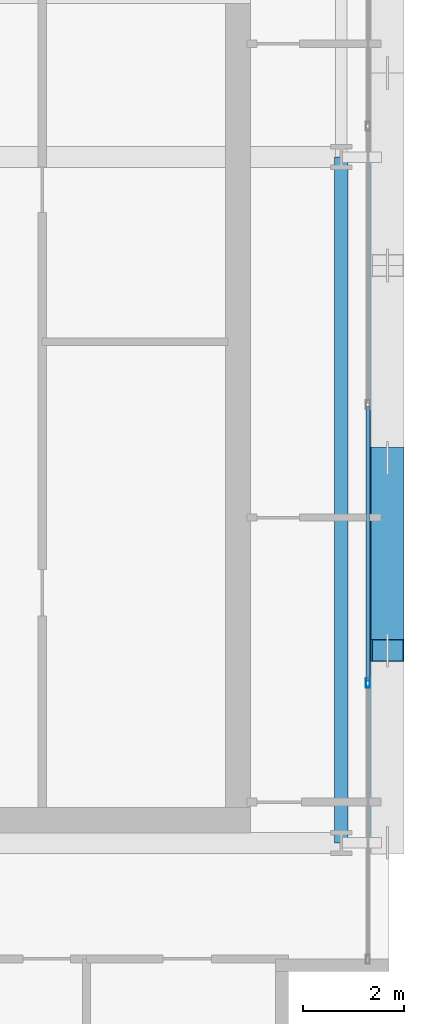
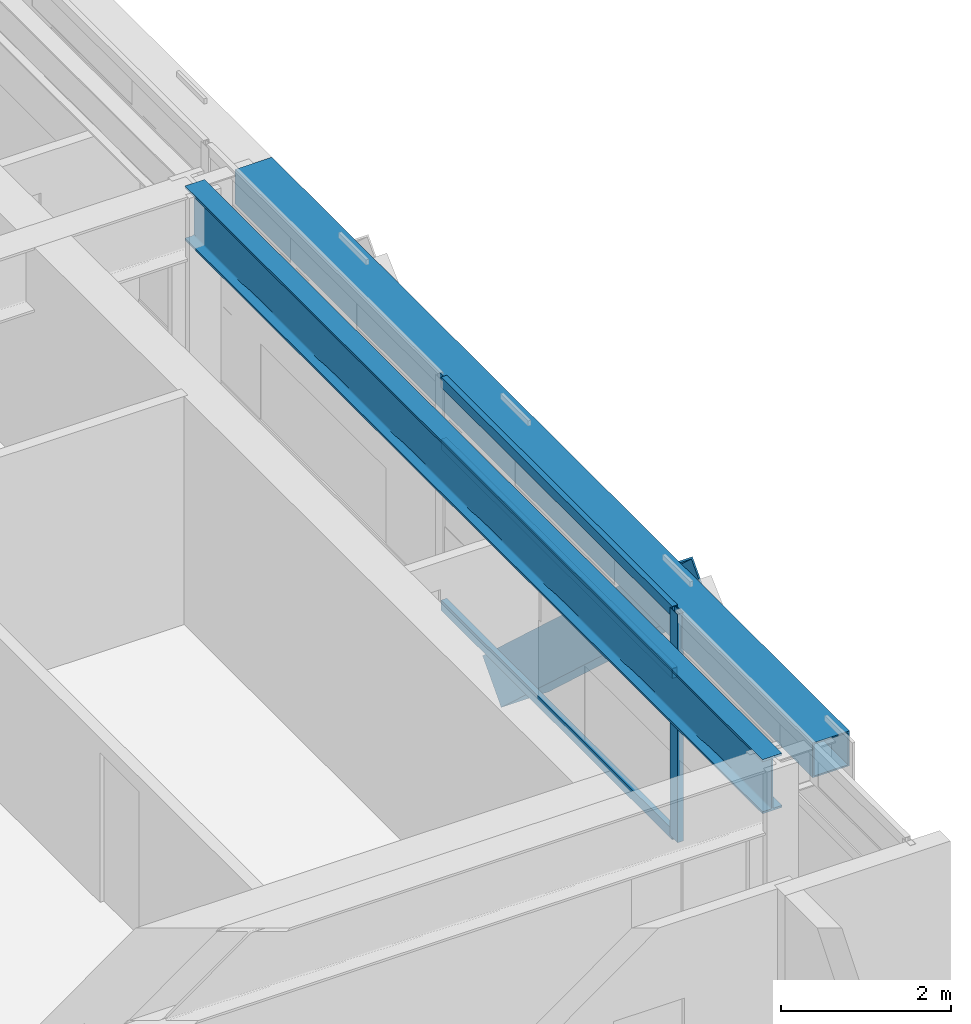
# One storey, part 12 of 32: 5 members, 2 beams, 1 element without a shape of its own.
"""IFC4 building model written with IfcOpenShell, lengths in metres."""

from ifc_helpers import new_model, si_unit, direction, frame, origin, origin_2d, place, context, subcontext, project, spatial, hollow_rectangle, i_section, extrude, source, transform, mapped, material, layer, layer_set, material_profile, profile_set, type_object, element, aggregate, save


model = new_model("IFC4")

# Units and contexts
model_context = context("Model", 3, precision=1e-05, world=origin(), true_north=direction((0.0, 1.0)))
body_context = subcontext(model_context, "Body", "Model", "MODEL_VIEW")
ifc_project = project(units=[si_unit("LENGTHUNIT", "METRE"), si_unit("AREAUNIT", "SQUARE_METRE"), si_unit("VOLUMEUNIT", "CUBIC_METRE"), si_unit("PLANEANGLEUNIT", "RADIAN"), si_unit("MASSUNIT", "GRAM", prefix="KILO")], contexts=[model_context])

# Site, building, storey
site_placement = place(None, origin())
site = spatial("IfcSite", under=ifc_project, at=site_placement, CompositionType="ELEMENT")
building_placement = place(site_placement, origin())
building = spatial("IfcBuilding", under=site, at=building_placement, Name="Ocotamira Hotel", CompositionType="ELEMENT")
storey_placement = place(building_placement, frame((0.0, 0.0, 217.199951171875)))
storey = spatial("IfcBuildingStorey", under=building, at=storey_placement, Name="L55", CompositionType="ELEMENT", Elevation=217.199951171875)

# Beams
ifc_material_1 = material(Name="Steel ASTM A992 Grade 50", Category="steel")
ifc_material_profile_1 = material_profile(ifc_material_1, i_section(OverallWidth=0.26611328125, OverallDepth=0.779052734375, WebThickness=0.0166015625, FlangeThickness=0.030029296875, FilletRadius=0.01806640625, at=origin_2d()), Name="W30X148")
ifc_profile_set_1 = profile_set([ifc_material_profile_1], Name="Steel ASTM A992 Grade 50")
beam_type_1 = type_object("IfcBeamType", Name="BM-GIRD-W30X148", PredefinedType="BEAM", material=ifc_profile_set_1)
shared_shape_1 = source(origin(), body_context, "Body", "SweptSolid", [
    extrude(i_section(OverallWidth=0.26611328125, OverallDepth=0.779052734375, WebThickness=0.0166015625, FlangeThickness=0.030029296875, FilletRadius=0.01806640625, at=origin_2d()), origin(), (0.0, 0.0, 1.0), 13.599853515625),
])
beam_1_placement = place(storey_placement, frame((55.050048828125, 14.550048828125, 2.890625), z_axis=(0.0, 1.0, 0.0), x_axis=(-1.0, 0.0, 0.0)))
element("IfcBeam", 1, at=beam_1_placement, inside=storey, type_object=beam_type_1, Name="L55 Beam X55.05 Y14.55-28.15", PredefinedType="BEAM", context=body_context, shape_type="MappedRepresentation", body=[
    mapped(shared_shape_1, transform((0.0, 0.0, 0.0), scale=1.0)),
])
ifc_material_2 = material(Name="Steel ASTM A500 Grade C", Category="steel")
ifc_material_profile_2 = material_profile(ifc_material_2, hollow_rectangle(XDim=0.5, YDim=0.5, WallThickness=0.02001953125, at=origin_2d()), Name="HSS500X500X20")
ifc_profile_set_2 = profile_set([ifc_material_profile_2], Name="Steel ASTM A500 Grade C")
beam_type_2 = type_object("IfcBeamType", Name="BM-SPAN-HSS500", PredefinedType="USERDEFINED", material=ifc_profile_set_2)
shared_shape_2 = source(origin(), body_context, "Body", "SweptSolid", [
    extrude(hollow_rectangle(XDim=0.5, YDim=0.5, WallThickness=0.02001953125, at=origin_2d()), origin(), (0.0, 0.0, 1.0), 13.599853515625),
])
beam_2_placement = place(storey_placement, frame((55.85009765625, 14.550048828125, 3.030029296875), z_axis=(0.0, 1.0, 0.0), x_axis=(-1.0, 0.0, 0.0)))
element("IfcBeam", 2, at=beam_2_placement, inside=storey, type_object=beam_type_2, Name="L55 Edge Spandrel E Y14.55-28.15", ObjectType="SPANDREL", PredefinedType="USERDEFINED", context=body_context, shape_type="MappedRepresentation", body=[
    mapped(shared_shape_2, transform((0.0, 0.0, 0.0), scale=1.0)),
])

# Member
ifc_material_3 = material(Name="Pale-metal coated steel ASTM A913 Grade 65", Category="steel")
ifc_material_profile_3 = material_profile(ifc_material_3, hollow_rectangle(XDim=0.64990234375, YDim=0.64990234375, WallThickness=0.02197265625, at=origin_2d()), Name="BOX650X650X22")
ifc_profile_set_3 = profile_set([ifc_material_profile_3], Name="Pale-metal coated steel ASTM A913 Grade 65")
member_type_1 = type_object("IfcMemberType", Name="MEM-EXO-BOX650", PredefinedType="BRACE", material=ifc_profile_set_3)
shared_shape_3 = source(origin(), body_context, "Body", "SweptSolid", [
    extrude(hollow_rectangle(XDim=0.64990234375, YDim=0.64990234375, WallThickness=0.02197265625, at=origin_2d()), origin(), (0.0, 0.0, 1.0), 5.185302734375),
])
member_1_placement = place(storey_placement, frame((55.969970703125, 22.183349609375, -0.47998046875), z_axis=(0.0, -0.736056745537, 0.6769198382), x_axis=(1.0, 0.0, 0.0)))
element("IfcMember", 3, at=member_1_placement, inside=storey, type_object=member_type_1, Name="L55 Exoskeleton Diagrid E0.2", PredefinedType="BRACE", context=body_context, shape_type="MappedRepresentation", body=[
    mapped(shared_shape_3, transform((0.0, 0.0, 0.0), scale=1.0)),
])

# Curtain wall, members
ifc_material_4 = material(Name="Anodised pale-metal aluminium and solar glass", Category="aluminium")
ifc_layer = layer(ifc_material_4, 0.199951171875)
ifc_layer_set = layer_set([ifc_layer], Name="Anodised pale-metal aluminium and solar glass")
curtain_wall_type = type_object("IfcCurtainWallType", Name="CW-SYS4-Z3", PredefinedType="NOTDEFINED", material=ifc_layer_set)
curtain_wall_placement = place(storey_placement, origin())
curtain_wall = element("IfcCurtainWall", 4, at=curtain_wall_placement, inside=storey, type_object=curtain_wall_type, Name="L55 Curtain Wall CW-4 CW-L55-E", PredefinedType="NOTDEFINED")
ifc_material_5 = material(Name="Anodised pale-metal aluminium 6063-T6", Category="aluminium")
ifc_material_profile_4 = material_profile(ifc_material_5, hollow_rectangle(XDim=0.074951171875, YDim=0.14990234375, WallThickness=0.006103515625, at=origin_2d()), Name="HSS150X75X6")
ifc_profile_set_4 = profile_set([ifc_material_profile_4], Name="Anodised pale-metal aluminium 6063-T6")
member_type_2 = type_object("IfcMemberType", Name="CWT-150X75", PredefinedType="USERDEFINED", material=ifc_profile_set_4)
shared_shape_4 = source(origin(), body_context, "Body", "SweptSolid", [
    extrude(hollow_rectangle(XDim=0.074951171875, YDim=0.14990234375, WallThickness=0.006103515625, at=origin_2d()), origin(), (0.0, 0.0, 1.0), 5.43994140625),
])
member_2_placement = place(storey_placement, frame((55.580078125, 17.760009765625, 0.03759765625), z_axis=(0.0, 1.0, 0.0), x_axis=(-1.0, 0.0, 0.0)))
member_2 = element("IfcMember", 5, at=member_2_placement, type_object=member_type_2, Name="CW-4 transom 2.1", ObjectType="TRANSOM", PredefinedType="USERDEFINED", context=body_context, shape_type="MappedRepresentation", body=[
    mapped(shared_shape_4, transform((0.0, 0.0, 0.0), scale=1.0)),
])
member_3_placement = place(storey_placement, frame((55.580078125, 17.760009765625, 2.35009765625), z_axis=(0.0, 1.0, 0.0), x_axis=(-1.0, 0.0, 0.0)))
member_3 = element("IfcMember", 6, at=member_3_placement, type_object=member_type_2, Name="CW-4 transom 2.2", ObjectType="TRANSOM", PredefinedType="USERDEFINED", context=body_context, shape_type="MappedRepresentation", body=[
    mapped(shared_shape_4, transform((0.0, 0.0, 0.0), scale=1.0)),
])
member_4_placement = place(storey_placement, frame((55.580078125, 17.760009765625, 3.242431640625), z_axis=(0.0, 1.0, 0.0), x_axis=(-1.0, 0.0, 0.0)))
member_4 = element("IfcMember", 7, at=member_4_placement, type_object=member_type_2, Name="CW-4 transom 2.3", ObjectType="TRANSOM", PredefinedType="USERDEFINED", context=body_context, shape_type="MappedRepresentation", body=[
    mapped(shared_shape_4, transform((0.0, 0.0, 0.0), scale=1.0)),
])
ifc_material_profile_5 = material_profile(ifc_material_5, hollow_rectangle(XDim=0.080078125, YDim=0.179931640625, WallThickness=0.006103515625, at=origin_2d()), Name="HSS180X80X6")
ifc_profile_set_5 = profile_set([ifc_material_profile_5], Name="Anodised pale-metal aluminium 6063-T6")
member_type_3 = type_object("IfcMemberType", Name="CWM-180X75", PredefinedType="MULLION", material=ifc_profile_set_5)
shared_shape_5 = source(origin(), body_context, "Body", "SweptSolid", [
    extrude(hollow_rectangle(XDim=0.080078125, YDim=0.179931640625, WallThickness=0.006103515625, at=origin_2d()), origin(), (0.0, 0.0, 1.0), 3.280029296875),
])
member_5_placement = place(storey_placement, frame((55.580078125, 17.719970703125, 0.0), z_axis=(0.0, 0.0, 1.0), x_axis=(-1.0, 0.0, 0.0)))
member_5 = element("IfcMember", 8, at=member_5_placement, type_object=member_type_3, Name="CW-4 mullion 2", PredefinedType="MULLION", context=body_context, shape_type="MappedRepresentation", body=[
    mapped(shared_shape_5, transform((0.0, 0.0, 0.0), scale=1.0)),
])
aggregate(curtain_wall, [member_5, member_2, member_3, member_4])

save(model, "model.ifc")
